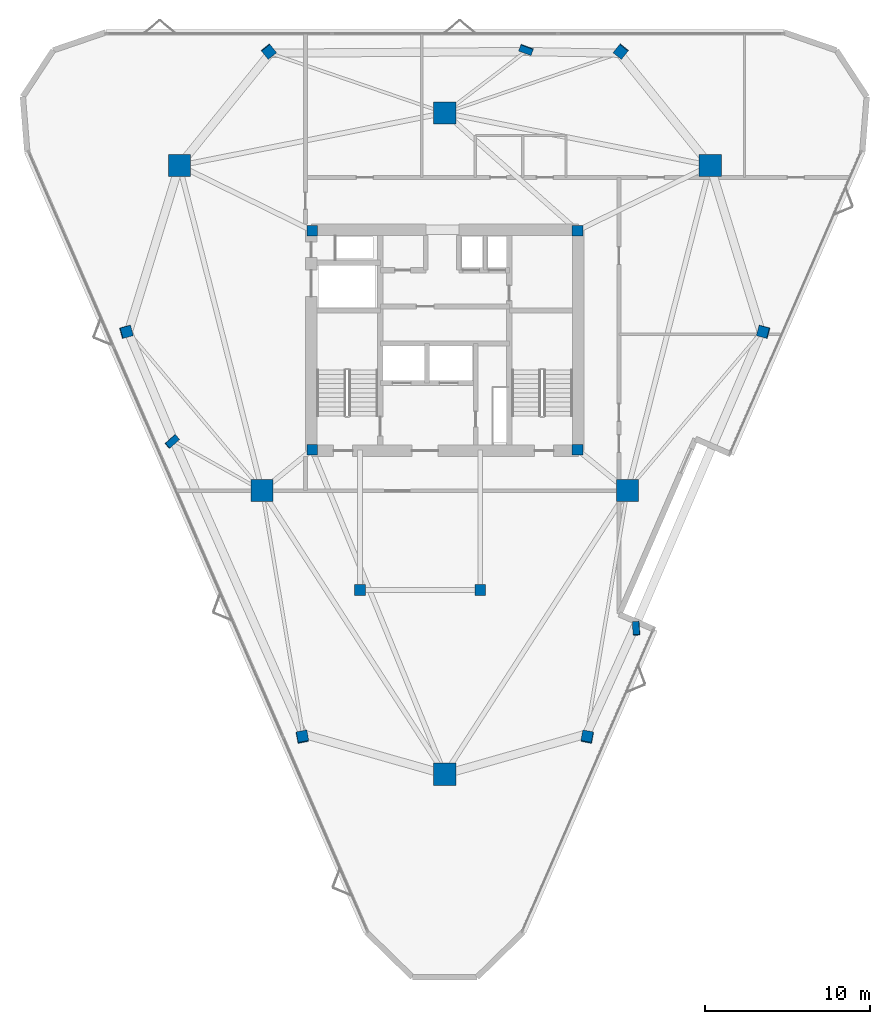
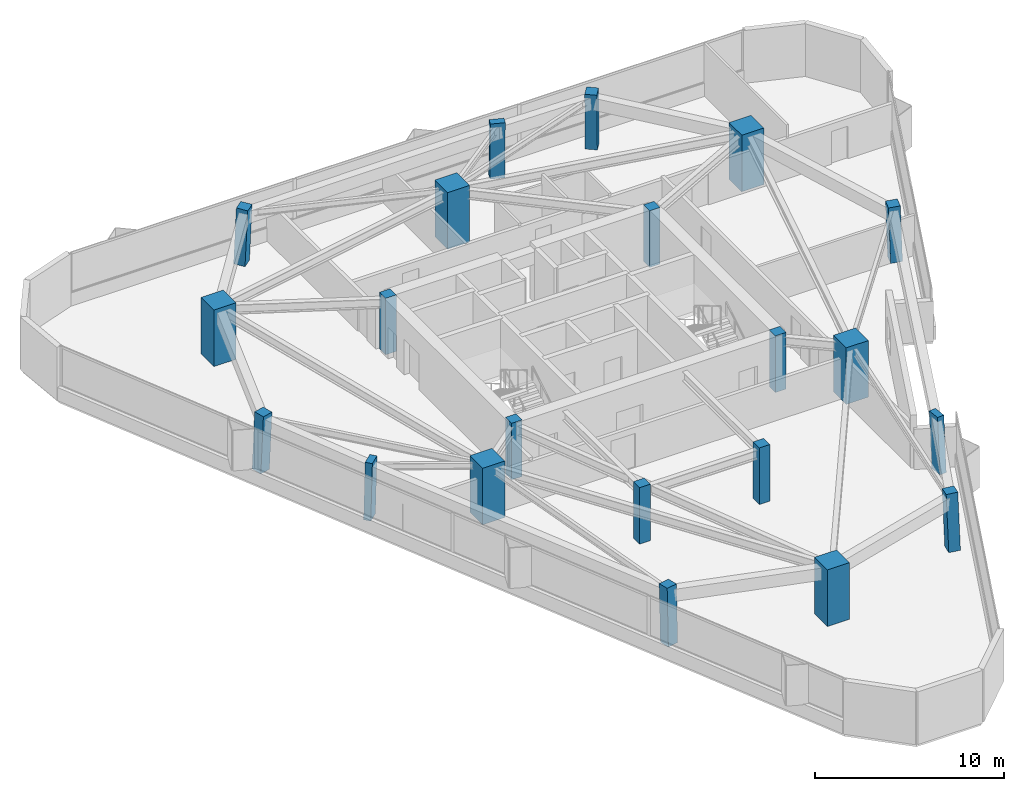
# One storey, part 1 of 10: 21 columns.
"""IFC4 building model written with IfcOpenShell, lengths in metres."""

import ifcopenshell
import ifcopenshell.guid

model = None  # the IFC model being written
_history = None  # IfcOwnerHistory: only IFC2X3 demands one
_inside = {}  # id of a spatial element -> (the spatial element, [elements in it])
_under = {}  # id of a project, library or spatial element -> (it, [spatial elements below it])
_declared = {}  # id of a project -> (the project, [libraries it declares])
_typed = {}  # id of a type object -> (the type object, [elements of that type])
_made_of = {}  # id of a material, layer set ... -> (it, [elements and type objects made of it])


def new_model(schema):
    """Start an empty IFC model of exactly this schema.

    Asked for "IFC4X3", IfcOpenShell would pick the latest addendum, in which some entities
    have other attributes; the version numbers below select the first issue.
    IFC2X3 requires an IfcOwnerHistory on every rooted entity: one is made here for all.
    """
    global model, _history
    if schema == "IFC4X3":
        model = ifcopenshell.file(schema_version=(4, 3, 0, 0))
    else:
        model = ifcopenshell.file(schema=schema)
    _inside.clear()
    _under.clear()
    _declared.clear()
    _typed.clear()
    _made_of.clear()
    _history = None
    if model.schema == "IFC2X3":
        org = make("IfcOrganization", Name="unknown")
        user = make(
            "IfcPersonAndOrganization",
            ThePerson=make("IfcPerson", FamilyName="unknown"),
            TheOrganization=org,
        )
        app = make(
            "IfcApplication",
            ApplicationDeveloper=org,
            Version="unknown",
            ApplicationFullName="unknown",
            ApplicationIdentifier="unknown",
        )
        _history = make(
            "IfcOwnerHistory",
            OwningUser=user,
            OwningApplication=app,
            ChangeAction="ADDED",
            CreationDate=0,
        )
    return model


def make(cls, **values):
    """One entity of the class cls with the attributes given. An attribute that is None is left unset."""
    return model.create_entity(
        cls, **{name: value for name, value in values.items() if value is not None}
    )


def rooted(cls, **values):
    """An entity with a GlobalId (a new one), such as an element, a storey or a relation."""
    return make(cls, GlobalId=ifcopenshell.guid.new(), OwnerHistory=_history, **values)


def si_unit(unit_type, name, prefix=None):
    """IfcSIUnit, for example si_unit("LENGTHUNIT", "METRE", prefix="MILLI")."""
    return make("IfcSIUnit", UnitType=unit_type, Prefix=prefix, Name=name)


def assignment(units):
    """IfcUnitAssignment: the units of a project."""
    return None if units is None else make("IfcUnitAssignment", Units=units)


def point(xyz):
    """IfcCartesianPoint."""
    return None if xyz is None else make("IfcCartesianPoint", Coordinates=xyz)


def direction(xyz):
    """IfcDirection."""
    return None if xyz is None else make("IfcDirection", DirectionRatios=xyz)


def frame(location, z_axis=None, x_axis=None):
    """IfcAxis2Placement3D, a coordinate frame: its origin and axes. An axis left out is left unset."""
    return make(
        "IfcAxis2Placement3D",
        Location=point(location),
        Axis=direction(z_axis),
        RefDirection=direction(x_axis),
    )


def frame_2d(location, x_axis=None):
    """IfcAxis2Placement2D, a coordinate frame in the plane: its origin and x axis."""
    return make(
        "IfcAxis2Placement2D", Location=point(location), RefDirection=direction(x_axis)
    )


def origin():
    """The frame at (0, 0, 0) with its axes left unset."""
    return frame((0.0, 0.0, 0.0))


def origin_2d():
    """The frame at (0, 0) in the plane with its x axis left unset."""
    return frame_2d((0.0, 0.0))


def place(relative_to, where):
    """IfcLocalPlacement: puts the frame where relative to a parent placement (None: the world)."""
    return make(
        "IfcLocalPlacement", PlacementRelTo=relative_to, RelativePlacement=where
    )


def context(
    kind, dimensions, precision=None, world=None, true_north=None, identifier=None
):
    """IfcGeometricRepresentationContext, for example the 3D "Model" context."""
    return make(
        "IfcGeometricRepresentationContext",
        ContextIdentifier=identifier,
        ContextType=kind,
        CoordinateSpaceDimension=dimensions,
        Precision=precision,
        WorldCoordinateSystem=world,
        TrueNorth=true_north,
    )


def subcontext(parent, identifier, kind, view, scale=None):
    """IfcGeometricRepresentationSubContext, for example "Body" below "Model"."""
    return make(
        "IfcGeometricRepresentationSubContext",
        ContextIdentifier=identifier,
        ContextType=kind,
        ParentContext=parent,
        TargetScale=scale,
        TargetView=view,
    )


def project(units=None, contexts=None):
    """IfcProject with its units and contexts."""
    return rooted(
        "IfcProject",
        Name="project",
        RepresentationContexts=contexts,
        UnitsInContext=assignment(units),
    )


def spatial(cls, under=None, at=None, **own):
    """A site, building, storey or space (cls), placed at a placement, below another one or the project."""
    s = rooted(cls, ObjectPlacement=at, **own)
    if under is not None:
        _under.setdefault(under.id(), (under, []))[1].append(s)
    return s


def profile(cls, at=None, kind="AREA", **sizes):
    """A parametric profile (cls). Its sizes go by their IFC names, for example OverallWidth=200.0."""
    return make(cls, ProfileType=kind, Position=at, **sizes)


def rectangle(**sizes):
    """IfcRectangleProfileDef."""
    return profile("IfcRectangleProfileDef", **sizes)


def extrude(swept, where, along, depth):
    """IfcExtrudedAreaSolid: the profile swept, set in the frame where, extruded along a direction by depth."""
    return make(
        "IfcExtrudedAreaSolid",
        SweptArea=swept,
        Position=where,
        ExtrudedDirection=direction(along),
        Depth=depth,
    )


def shape(context_of_items, identifier, shape_type, items):
    """IfcShapeRepresentation: the items that make up one representation, for example the "Body"."""
    return make(
        "IfcShapeRepresentation",
        ContextOfItems=context_of_items,
        RepresentationIdentifier=identifier,
        RepresentationType=shape_type,
        Items=items,
    )


def material(Name=None, Category=None):
    """IfcMaterial."""
    return make("IfcMaterial", Name=Name, Category=Category)


def material_profile(
    of_material, cross_section, Name=None, Category=None, Priority=None
):
    """IfcMaterialProfile: a cross section and its material."""
    return make(
        "IfcMaterialProfile",
        Name=Name,
        Material=of_material,
        Profile=cross_section,
        Priority=Priority,
        Category=Category,
    )


def profile_set(profiles, Name=None, composite=None):
    """IfcMaterialProfileSet."""
    return make(
        "IfcMaterialProfileSet",
        Name=Name,
        MaterialProfiles=profiles,
        CompositeProfile=composite,
    )


def made_of(thing, what):
    """Note that an element or type object is made of a material, layer set ...; save() writes the relation."""
    if what is not None:
        _made_of.setdefault(what.id(), (what, []))[1].append(thing)
    return thing


def type_object(cls, material=None, **own):
    """A type object (cls), such as IfcWallType, which elements share."""
    return made_of(rooted(cls, **own), material)


def element(
    cls,
    number,
    at=None,
    inside=None,
    cuts=None,
    type_object=None,
    material=None,
    context=None,
    identifier="Body",
    shape_type=None,
    held_by="IfcProductDefinitionShape",
    body=None,
    shapes=None,
    **own,
):
    """One element of the class cls, such as IfcWall. Its Tag is "e" and its number.

    at: its placement. inside: the storey or other place that contains it. cuts: it is an
    opening in that element (IfcRelVoidsElement). A single representation is given by context,
    identifier, shape_type and body (its items); several are given by shapes. held_by: the class
    of the entity that holds the representations. save() writes the other relations.
    """
    e = rooted(cls, Tag="e%d" % number, ObjectPlacement=at, **own)
    if body is not None:
        shapes = [shape(context, identifier, shape_type, body)]
    if shapes is not None:
        e.Representation = make(held_by, Representations=shapes)
    if inside is not None:
        _inside.setdefault(inside.id(), (inside, []))[1].append(e)
    if cuts is not None:
        rooted(
            "IfcRelVoidsElement", RelatingBuildingElement=cuts, RelatedOpeningElement=e
        )
    if type_object is not None:
        _typed.setdefault(type_object.id(), (type_object, []))[1].append(e)
    return made_of(e, material)


def aggregate(whole, parts):
    """IfcRelAggregates: a whole, such as a stair, and the parts it consists of."""
    return rooted("IfcRelAggregates", RelatingObject=whole, RelatedObjects=parts)


def save(model, path):
    """Write the relations noted so far, then the file.

    IfcRelAggregates (storeys below a building ...), IfcRelContainedInSpatialStructure (elements
    in a storey), IfcRelDefinesByType, IfcRelAssociatesMaterial and IfcRelDeclares: one each for
    every whole, place, type object, material and project.
    """
    for whole, parts in _under.values():
        aggregate(whole, parts)
    for where, things in _inside.values():
        rooted(
            "IfcRelContainedInSpatialStructure",
            RelatedElements=things,
            RelatingStructure=where,
        )
    for kind, things in _typed.values():
        rooted("IfcRelDefinesByType", RelatedObjects=things, RelatingType=kind)
    for what, things in _made_of.values():
        rooted("IfcRelAssociatesMaterial", RelatedObjects=things, RelatingMaterial=what)
    for by, libraries in _declared.values():
        rooted("IfcRelDeclares", RelatingContext=by, RelatedDefinitions=libraries)
    model.write(path)


model = new_model("IFC4")

# Units and contexts
model_context = context("Model", 3, precision=1e-05, world=origin(), true_north=direction((0.0, 1.0)))
body_context = subcontext(model_context, "Body", "Model", "MODEL_VIEW")
ifc_project = project(units=[si_unit("LENGTHUNIT", "METRE"), si_unit("AREAUNIT", "SQUARE_METRE"), si_unit("VOLUMEUNIT", "CUBIC_METRE"), si_unit("PLANEANGLEUNIT", "RADIAN"), si_unit("MASSUNIT", "GRAM", prefix="KILO")], contexts=[model_context])

# Site, building, storey
site_placement = place(None, origin())
site = spatial("IfcSite", under=ifc_project, at=site_placement, CompositionType="ELEMENT")
building_placement = place(site_placement, origin())
building = spatial("IfcBuilding", under=site, at=building_placement, Name="Talyreon Biosciences Tower", CompositionType="ELEMENT")
storey_placement = place(building_placement, frame((0.0, 0.0, 204.949951171875)))
storey = spatial("IfcBuildingStorey", under=building, at=storey_placement, Name="L54", CompositionType="ELEMENT", Elevation=204.949951171875)

# Columns
ifc_material_1 = material(Name="Precast concrete C45/55", Category="concrete")
ifc_material_profile_1 = material_profile(ifc_material_1, rectangle(XDim=0.800048828125, YDim=0.39990234375, at=origin_2d()), Name="RC 800x400")
ifc_profile_set_1 = profile_set([ifc_material_profile_1], Name="Precast concrete C45/55")
column_type_1 = type_object("IfcColumnType", Name="FacadePilaster_800x400", PredefinedType="PILASTER", material=ifc_profile_set_1)
column_1_placement = place(storey_placement, frame((77.620849609375, 50.495849609375, 0.0029296875), z_axis=(-0.019611953815, 0.038353752683, 0.999071749637), x_axis=(0.062240072617, -0.997278994541, 0.039506713463)))
element("IfcColumn", 1, at=column_1_placement, inside=storey, type_object=column_type_1, Name="L54 Facade Pilaster PL-SE", PredefinedType="PILASTER", context=body_context, shape_type="SweptSolid", body=[
    extrude(rectangle(XDim=0.800048828125, YDim=0.39990234375, at=origin_2d()), origin(), (0.0, 0.0, 1.0), 3.6474609375),
])
column_2_placement = place(storey_placement, frame((70.935791015625, 85.63525390625, 0.0029296875), z_axis=(-0.012453496874, -0.033544096418, 0.99935964698), x_axis=(-0.937477612418, 0.348045580658, 0.0)))
element("IfcColumn", 2, at=column_2_placement, inside=storey, type_object=column_type_1, Name="L54 Facade Pilaster PL-N", PredefinedType="PILASTER", context=body_context, shape_type="SweptSolid", body=[
    extrude(rectangle(XDim=0.800048828125, YDim=0.39990234375, at=origin_2d()), origin(), (0.0, 0.0, 1.0), 3.646484375),
])
column_3_placement = place(storey_placement, frame((49.443359375, 61.851318359375, 0.0029296875), z_axis=(0.032006454348, 0.010579539303, 0.999431668614), x_axis=(0.745178958058, 0.666147538934, -0.030915640701)))
element("IfcColumn", 3, at=column_3_placement, inside=storey, type_object=column_type_1, Name="L54 Facade Pilaster PL-SW", PredefinedType="PILASTER", context=body_context, shape_type="SweptSolid", body=[
    extrude(rectangle(XDim=0.800048828125, YDim=0.39990234375, at=origin_2d()), origin(), (0.0, 0.0, 1.0), 3.64599609375),
])
ifc_material_2 = material(Name="Concrete C50/60", Category="concrete")
ifc_material_profile_2 = material_profile(ifc_material_2, rectangle(XDim=1.35009765625, YDim=1.35009765625, at=origin_2d()), Name="RC 1350x1350")
ifc_profile_set_2 = profile_set([ifc_material_profile_2], Name="Concrete C50/60")
column_type_2 = type_object("IfcColumnType", Name="MegaColumn_1350", PredefinedType="COLUMN", material=ifc_profile_set_2)
for number, where, z_axis, x_axis, name in (
    (4, (66.0, 41.6669921875, 0.0), (0.0, 0.0, 1.0), (1.0, 0.0, 0.0), "L54 Composite Mega-Column MC1"),
    (5, (82.102294921875, 78.5986328125, 0.0), (0.0, 0.0, 1.0), (1.0, 0.0, 0.0), "L54 Composite Mega-Column MC2"),
    (6, (49.897705078125, 78.5986328125, 0.0), (0.0, 0.0, 1.0), (1.0, 0.0, 0.0), "L54 Composite Mega-Column MC3"),
    (7, (77.086181640625, 58.88037109375, 0.0), (0.0, 0.0, 1.0), (1.0, 0.0, 0.0), "L54 Composite Mega-Column MC4"),
    (8, (66.0, 81.788818359375, 0.0), (0.0, 0.0, 1.0), (1.0, 0.0, 0.0), "L54 Composite Mega-Column MC5"),
    (9, (54.913818359375, 58.88037109375, 0.0), (0.0, 0.0, 1.0), (1.0, 0.0, 0.0), "L54 Composite Mega-Column MC6"),
):
    element("IfcColumn", number, at=place(storey_placement, frame(where, z_axis=z_axis, x_axis=x_axis)), inside=storey, type_object=column_type_2, Name=name, PredefinedType="COLUMN", context=body_context, shape_type="SweptSolid", body=[
        extrude(rectangle(XDim=1.35009765625, YDim=1.35009765625, at=origin_2d()), origin(), (0.0, 0.0, 1.0), 3.650146484375),
    ])
ifc_material_profile_3 = material_profile(ifc_material_2, rectangle(XDim=0.64990234375, YDim=0.64990234375, at=origin_2d()), Name="RC 650x650")
ifc_profile_set_3 = profile_set([ifc_material_profile_3], Name="Concrete C50/60")
column_type_3 = type_object("IfcColumnType", Name="PerimeterColumn_650", PredefinedType="COLUMN", material=ifc_profile_set_3)
for number, where, z_axis, x_axis, name in (
    (10, (57.949951171875, 61.35009765625, 0.0), (0.0, 0.0, 1.0), (1.0, 0.0, 0.0), "L54 Core Column CC1"),
    (11, (74.050048828125, 61.35009765625, 0.0), (0.0, 0.0, 1.0), (1.0, 0.0, 0.0), "L54 Core Column CC2"),
    (12, (74.050048828125, 74.64990234375, 0.0), (0.0, 0.0, 1.0), (1.0, 0.0, 0.0), "L54 Core Column CC3"),
    (13, (57.949951171875, 74.64990234375, 0.0), (0.0, 0.0, 1.0), (1.0, 0.0, 0.0), "L54 Core Column CC4"),
    (14, (60.85009765625, 52.840087890625, 0.0), (0.0, 0.0, 1.0), (1.0, 0.0, 0.0), "L54 Core Column CSW"),
    (15, (68.14990234375, 52.840087890625, 0.0), (0.0, 0.0, 1.0), (1.0, 0.0, 0.0), "L54 Core Column CSE"),
):
    element("IfcColumn", number, at=place(storey_placement, frame(where, z_axis=z_axis, x_axis=x_axis)), inside=storey, type_object=column_type_3, Name=name, PredefinedType="COLUMN", context=body_context, shape_type="SweptSolid", body=[
        extrude(rectangle(XDim=0.64990234375, YDim=0.64990234375, at=origin_2d()), origin(), (0.0, 0.0, 1.0), 3.650146484375),
    ])
column_4_placement = place(storey_placement, frame((74.64990234375, 43.91162109375, 0.0029296875), z_axis=(-0.012308168998, 0.054584053819, 0.998433317776), x_axis=(-0.187438255393, -0.980935007039, 0.051316784587)))
element("IfcColumn", 16, at=column_4_placement, inside=storey, type_object=column_type_3, Name="L54 Tapering Perimeter Column PC-SE1", PredefinedType="COLUMN", context=body_context, shape_type="SweptSolid", body=[
    extrude(rectangle(XDim=0.64990234375, YDim=0.64990234375, at=origin_2d()), origin(), (0.0, 0.0, 1.0), 3.649658203125),
])
column_5_placement = place(storey_placement, frame((85.343994140625, 68.51513671875, 0.0029296875), z_axis=(-0.039229508262, -0.005623342481, 0.999214403269), x_axis=(0.963685057572, -0.26455641378, 0.036345752712)))
element("IfcColumn", 17, at=column_5_placement, inside=storey, type_object=column_type_3, Name="L54 Tapering Perimeter Column PC-SE2", PredefinedType="COLUMN", context=body_context, shape_type="SweptSolid", body=[
    extrude(rectangle(XDim=0.64990234375, YDim=0.64990234375, at=origin_2d()), origin(), (0.0, 0.0, 1.0), 3.64697265625),
])
for number, where, z_axis, x_axis, name in (
    (18, (76.694091796875, 85.53515625, 0.0029296875), (-0.026907963191, -0.033534551141, 0.999075270136), (-0.779956681152, 0.625833504637, 0.0), "L54 Tapering Perimeter Column PC-N1"),
    (19, (55.305908203125, 85.53515625, 0.0029296875), (0.026907963191, -0.033534551141, 0.999075270136), (-0.779956681152, -0.625833504637, 0.0), "L54 Tapering Perimeter Column PC-N2"),
):
    element("IfcColumn", number, at=place(storey_placement, frame(where, z_axis=z_axis, x_axis=x_axis)), inside=storey, type_object=column_type_3, Name=name, PredefinedType="COLUMN", context=body_context, shape_type="SweptSolid", body=[
        extrude(rectangle(XDim=0.64990234375, YDim=0.64990234375, at=origin_2d()), origin(), (0.0, 0.0, 1.0), 3.6474609375),
    ])
column_6_placement = place(storey_placement, frame((46.656005859375, 68.51513671875, 0.0029296875), z_axis=(0.039229508262, -0.005623342481, 0.999214403269), x_axis=(0.963685057572, 0.26455641378, -0.036345752712)))
element("IfcColumn", 20, at=column_6_placement, inside=storey, type_object=column_type_3, Name="L54 Tapering Perimeter Column PC-SW1", PredefinedType="COLUMN", context=body_context, shape_type="SweptSolid", body=[
    extrude(rectangle(XDim=0.64990234375, YDim=0.64990234375, at=origin_2d()), origin(), (0.0, 0.0, 1.0), 3.64697265625),
])
column_7_placement = place(storey_placement, frame((57.35009765625, 43.91162109375, 0.0029296875), z_axis=(0.012308168998, 0.054584053819, 0.998433317776), x_axis=(-0.187438255393, 0.980935007039, -0.051316784587)))
element("IfcColumn", 21, at=column_7_placement, inside=storey, type_object=column_type_3, Name="L54 Tapering Perimeter Column PC-SW2", PredefinedType="COLUMN", context=body_context, shape_type="SweptSolid", body=[
    extrude(rectangle(XDim=0.64990234375, YDim=0.64990234375, at=origin_2d()), origin(), (0.0, 0.0, 1.0), 3.649658203125),
])

save(model, "model.ifc")
